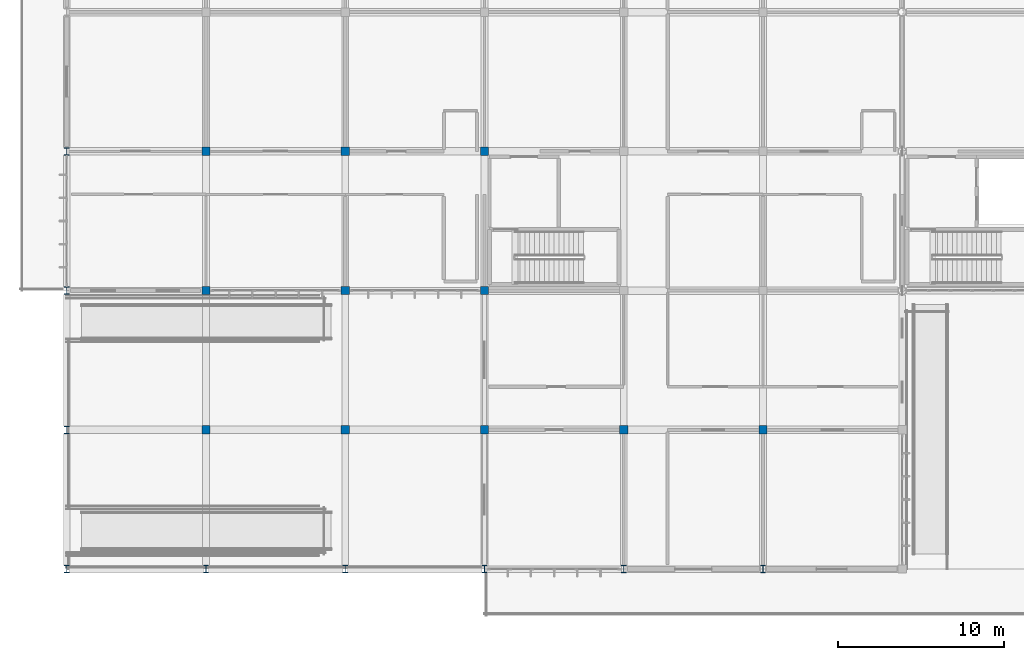
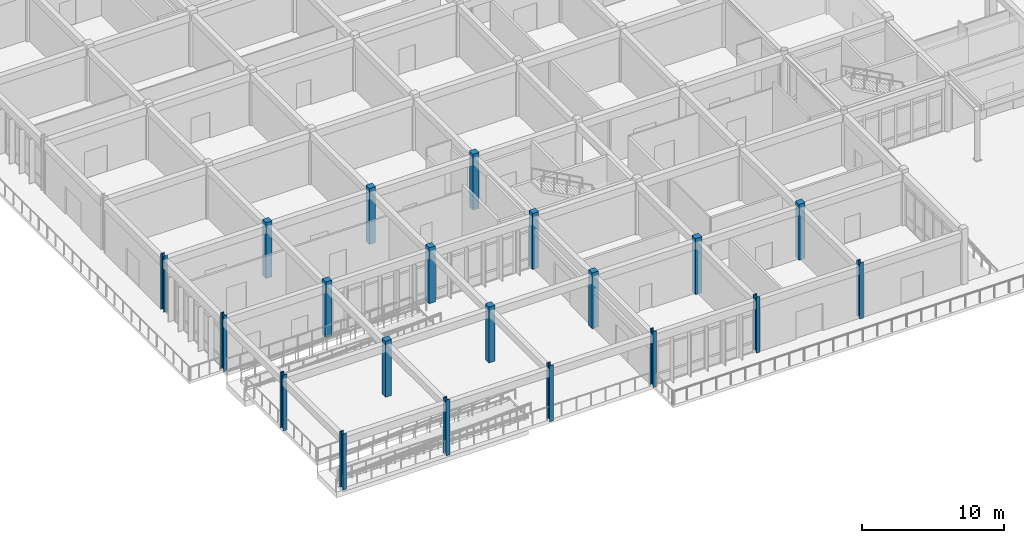
# One storey, part 1 of 138: 20 columns.
"""IFC4 building model written with IfcOpenShell, lengths in metres."""

from ifc_helpers import new_model, si_unit, direction, frame, origin, origin_2d, place, context, subcontext, project, spatial, rectangle, i_section, extrude, material, material_profile, profile_set, type_object, element, save


model = new_model("IFC4")

# Units and contexts
model_context = context("Model", 3, precision=1e-05, world=origin(), true_north=direction((0.0, 1.0)))
body_context = subcontext(model_context, "Body", "Model", "MODEL_VIEW")
ifc_project = project(units=[si_unit("LENGTHUNIT", "METRE"), si_unit("AREAUNIT", "SQUARE_METRE"), si_unit("VOLUMEUNIT", "CUBIC_METRE"), si_unit("PLANEANGLEUNIT", "RADIAN"), si_unit("MASSUNIT", "GRAM", prefix="KILO")], contexts=[model_context])

# Site, building, storey
site_placement = place(None, origin())
site = spatial("IfcSite", under=ifc_project, at=site_placement, CompositionType="ELEMENT")
building_placement = place(site_placement, origin())
building = spatial("IfcBuilding", under=site, at=building_placement, Name="Bramfleet General Hospital", CompositionType="ELEMENT")
storey_placement = place(building_placement, origin())
storey = spatial("IfcBuildingStorey", under=building, at=storey_placement, Name="L00", CompositionType="ELEMENT", Elevation=0.0)

# Columns
ifc_material_1 = material(Name="Steel S355", Category="steel")
ifc_material_profile_1 = material_profile(ifc_material_1, i_section(OverallWidth=0.300048828125, OverallDepth=0.449951171875, WebThickness=0.013916015625, FlangeThickness=0.02587890625, FilletRadius=0.027099609375, at=origin_2d()), Name="HEB 450")
ifc_profile_set_1 = profile_set([ifc_material_profile_1], Name="Steel S355")
column_type_1 = type_object("IfcColumnType", Name="COL-HEB450", PredefinedType="COLUMN", material=ifc_profile_set_1)
for number, where, z_axis, x_axis, name in (
    (1, (0.0, 0.0, 0.0), (0.0, 0.0, 1.0), (1.0, 0.0, 0.0), "Column COL-L00-00-00"),
    (2, (0.0, 8.39990234375, 0.0), (0.0, 0.0, 1.0), (1.0, 0.0, 0.0), "Column COL-L00-00-01"),
    (3, (0.0, 16.800048828125, 0.0), (0.0, 0.0, 1.0), (1.0, 0.0, 0.0), "Column COL-L00-00-02"),
    (4, (0.0, 25.199951171875, 0.0), (0.0, 0.0, 1.0), (1.0, 0.0, 0.0), "Column COL-L00-00-03"),
    (5, (8.39990234375, 0.0, 0.0), (0.0, 0.0, 1.0), (1.0, 0.0, 0.0), "Column COL-L00-01-00"),
    (6, (16.800048828125, 0.0, 0.0), (0.0, 0.0, 1.0), (1.0, 0.0, 0.0), "Column COL-L00-02-00"),
    (7, (25.199951171875, 0.0, 0.0), (0.0, 0.0, 1.0), (1.0, 0.0, 0.0), "Column COL-L00-03-00"),
    (8, (33.60009765625, 0.0, 0.0), (0.0, 0.0, 1.0), (1.0, 0.0, 0.0), "Column COL-L00-04-00"),
    (9, (42.0, 0.0, 0.0), (0.0, 0.0, 1.0), (1.0, 0.0, 0.0), "Column COL-L00-05-00"),
):
    element("IfcColumn", number, at=place(storey_placement, frame(where, z_axis=z_axis, x_axis=x_axis)), inside=storey, type_object=column_type_1, Name=name, PredefinedType="COLUMN", context=body_context, shape_type="SweptSolid", body=[
        extrude(i_section(OverallWidth=0.300048828125, OverallDepth=0.449951171875, WebThickness=0.013916015625, FlangeThickness=0.02587890625, FilletRadius=0.027099609375, at=origin_2d()), origin(), (0.0, 0.0, 1.0), 4.800048828125),
    ])
ifc_material_2 = material(Name="Concrete C40/50", Category="concrete")
ifc_material_profile_2 = material_profile(ifc_material_2, rectangle(XDim=0.5, YDim=0.5, at=origin_2d()), Name="RC COL 500x500")
ifc_profile_set_2 = profile_set([ifc_material_profile_2], Name="Concrete C40/50")
column_type_2 = type_object("IfcColumnType", Name="COL-RC500", PredefinedType="COLUMN", material=ifc_profile_set_2)
for number, where, z_axis, x_axis, name in (
    (10, (8.39990234375, 8.39990234375, 0.0), (0.0, 0.0, 1.0), (1.0, 0.0, 0.0), "Column COL-L00-01-01"),
    (11, (8.39990234375, 16.800048828125, 0.0), (0.0, 0.0, 1.0), (1.0, 0.0, 0.0), "Column COL-L00-01-02"),
    (12, (8.39990234375, 25.199951171875, 0.0), (0.0, 0.0, 1.0), (1.0, 0.0, 0.0), "Column COL-L00-01-03"),
    (13, (16.800048828125, 8.39990234375, 0.0), (0.0, 0.0, 1.0), (1.0, 0.0, 0.0), "Column COL-L00-02-01"),
    (14, (16.800048828125, 16.800048828125, 0.0), (0.0, 0.0, 1.0), (1.0, 0.0, 0.0), "Column COL-L00-02-02"),
    (15, (16.800048828125, 25.199951171875, 0.0), (0.0, 0.0, 1.0), (1.0, 0.0, 0.0), "Column COL-L00-02-03"),
    (16, (25.199951171875, 8.39990234375, 0.0), (0.0, 0.0, 1.0), (1.0, 0.0, 0.0), "Column COL-L00-03-01"),
    (17, (25.199951171875, 16.800048828125, 0.0), (0.0, 0.0, 1.0), (1.0, 0.0, 0.0), "Column COL-L00-03-02"),
    (18, (25.199951171875, 25.199951171875, 0.0), (0.0, 0.0, 1.0), (1.0, 0.0, 0.0), "Column COL-L00-03-03"),
    (19, (33.60009765625, 8.39990234375, 0.0), (0.0, 0.0, 1.0), (1.0, 0.0, 0.0), "Column COL-L00-04-01"),
    (20, (42.0, 8.39990234375, 0.0), (0.0, 0.0, 1.0), (1.0, 0.0, 0.0), "Column COL-L00-05-01"),
):
    element("IfcColumn", number, at=place(storey_placement, frame(where, z_axis=z_axis, x_axis=x_axis)), inside=storey, type_object=column_type_2, Name=name, PredefinedType="COLUMN", context=body_context, shape_type="SweptSolid", body=[
        extrude(rectangle(XDim=0.5, YDim=0.5, at=origin_2d()), origin(), (0.0, 0.0, 1.0), 4.800048828125),
    ])

save(model, "model.ifc")
